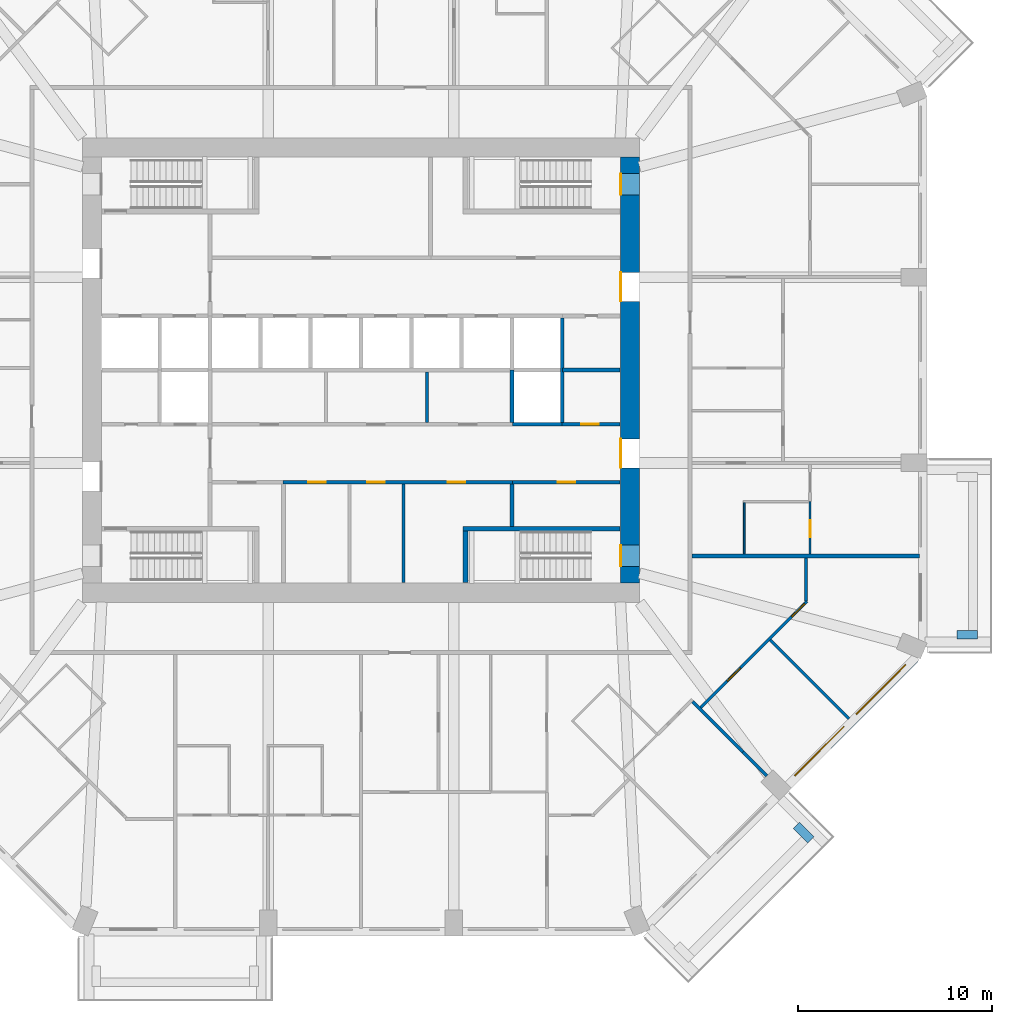
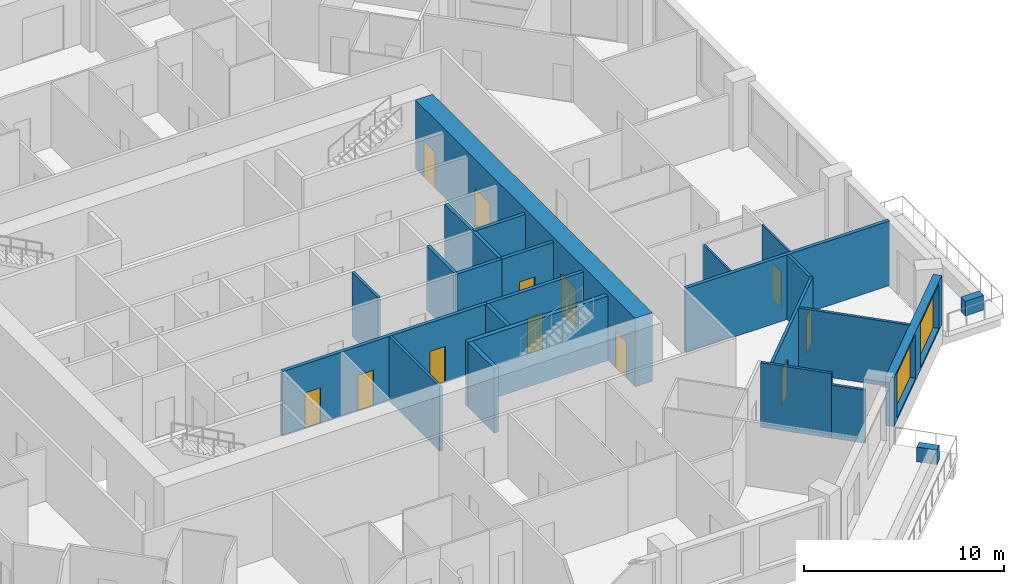
# One storey, part 6 of 13: 24 walls, 12 doors, 2 windows, 14 openings.
"""IFC4 building model written with IfcOpenShell, lengths in metres."""

from ifc_helpers import new_model, si_unit, direction, frame, frame_2d, origin, place, context, subcontext, project, spatial, rectangle, extrude, material, layer, layer_set, type_object, element, fill, save


model = new_model("IFC4")

# Units and contexts
model_context = context("Model", 3, precision=1e-05, world=origin(), true_north=direction((0.0, 1.0)))
body_context = subcontext(model_context, "Body", "Model", "MODEL_VIEW")
ifc_project = project(units=[si_unit("LENGTHUNIT", "METRE"), si_unit("AREAUNIT", "SQUARE_METRE"), si_unit("VOLUMEUNIT", "CUBIC_METRE"), si_unit("PLANEANGLEUNIT", "RADIAN"), si_unit("MASSUNIT", "GRAM", prefix="KILO")], contexts=[model_context])

# Site, building, storey
site_placement = place(None, origin())
site = spatial("IfcSite", under=ifc_project, at=site_placement, CompositionType="ELEMENT")
building_placement = place(site_placement, origin())
building = spatial("IfcBuilding", under=site, at=building_placement, Name="Msitu Wima Residences", CompositionType="ELEMENT")
storey_placement = place(building_placement, frame((0.0, 0.0, 50.699951171875)))
storey = spatial("IfcBuildingStorey", under=building, at=storey_placement, Name="L11", CompositionType="ELEMENT", Elevation=50.699951171875)

# Walls
ifc_material_1 = material(Name="Facing brick")
ifc_layer_1 = layer(ifc_material_1, 0.06494140625, Name="Facing brick")
ifc_material_2 = material(Name="Concrete C40/50", Category="concrete")
ifc_layer_2 = layer(ifc_material_2, 0.156005859375, Name="Concrete C40/50")
ifc_material_3 = material(Name="Waterproofing membrane")
ifc_layer_3 = layer(ifc_material_3, 0.00390625, Name="Waterproofing membrane")
ifc_material_4 = material(Name="Planting soil and planting")
ifc_layer_4 = layer(ifc_material_4, 0.22509765625, Name="Planting soil and planting")
ifc_layer_set_1 = layer_set([ifc_layer_1, ifc_layer_2, ifc_layer_3, ifc_layer_4], Name="Concrete C40/50")
wall_type_1 = type_object("IfcWallType", Name="Balcony planter PLANTER PL450", PredefinedType="USERDEFINED", material=ifc_layer_set_1)
for number, where, z_axis, x_axis, name in (
    (1, (30.800048828125, -13.675048828125, 0.0), (0.0, 0.0, 1.0), (1.0, 0.0, 0.0), "Balcony planter E0 L11"),
    (2, (22.50146484375, -23.52685546875, 0.0), (0.0, 0.0, 1.0), (0.707223014731, -0.706990528533, 0.0), "Balcony planter SE0 L11"),
):
    element("IfcWall", number, at=place(storey_placement, frame(where, z_axis=z_axis, x_axis=x_axis)), inside=storey, type_object=wall_type_1, Name=name, ObjectType="PLANTER", PredefinedType="USERDEFINED", context=body_context, shape_type="SweptSolid", body=[
        extrude(rectangle(XDim=1.050048828125, YDim=0.449951171875, at=frame_2d((0.52490234375, 0.0))), origin(), (0.0, 0.0, 1.0), 0.900146484375),
    ])

# Wall, openings, windows
ifc_material_5 = material(Name="Brick (red buff mix)", Category="masonry")
ifc_layer_5 = layer(ifc_material_5, 0.449951171875)
ifc_layer_set_2 = layer_set([ifc_layer_5], Name="Brick (red buff mix)")
wall_type_2 = type_object("IfcWallType", Name="Brick infill wall BW450", PredefinedType="SOLIDWALL", material=ifc_layer_set_2)
wall_1_placement = place(storey_placement, frame((22.077392578125, -21.44091796875, 0.900146484375), z_axis=(0.0, 0.0, 1.0), x_axis=(0.707106781187, 0.707106781187, 0.0)))
wall_1 = element("IfcWall", 3, at=wall_1_placement, inside=storey, type_object=wall_type_2, Name="Brick infill wall L11 SE1", PredefinedType="SOLIDWALL", context=body_context, shape_type="SweptSolid", body=[
    extrude(rectangle(XDim=9.2451171875, YDim=0.449951171875, at=frame_2d((4.62255859375, 0.0))), origin(), (0.0, 0.0, 1.0), 3.0),
])
opening_1_placement = place(wall_1_placement, frame((0.572509765625, 0.0, 0.14990234375)))
opening_1 = element("IfcOpeningElement", 4, at=opening_1_placement, cuts=wall_1, Name="Opening W11-12.023", PredefinedType="OPENING", context=body_context, shape_type="SweptSolid", body=[
    extrude(rectangle(XDim=3.60009765625, YDim=2.699951171875, at=frame_2d((1.800048828125, 1.35009765625))), frame((0.0, 0.23486328125, 0.0), z_axis=(0.0, -1.0, 0.0), x_axis=(1.0, 0.0, 0.0)), (0.0, 0.0, 1.0), 0.469970703125),
])
opening_2_placement = place(wall_1_placement, frame((5.072509765625, 0.0, 0.14990234375)))
opening_2 = element("IfcOpeningElement", 5, at=opening_2_placement, cuts=wall_1, Name="Opening W11-12.024", PredefinedType="OPENING", context=body_context, shape_type="SweptSolid", body=[
    extrude(rectangle(XDim=3.60009765625, YDim=2.699951171875, at=frame_2d((1.800048828125, 1.35009765625))), frame((0.0, 0.23486328125, 0.0), z_axis=(0.0, -1.0, 0.0), x_axis=(1.0, 0.0, 0.0)), (0.0, 0.0, 1.0), 0.469970703125),
])
ifc_material_6 = material(Name="Anodised aluminium, bronze finish, clear low-emissivity double glazing", Category="aluminium")
window_type = type_object("IfcWindowType", Name="Window W3600x2700", PartitioningType="DOUBLE_PANEL_VERTICAL", PredefinedType="WINDOW", material=ifc_material_6)
window_1_placement = place(opening_1_placement, origin())
window_1 = element("IfcWindow", 6, at=window_1_placement, inside=storey, type_object=window_type, Name="Window L11 SE1.1", OverallHeight=2.699951171875, OverallWidth=3.60009765625, PartitioningType="SINGLE_PANEL", PredefinedType="WINDOW", context=body_context, shape_type="SweptSolid", body=[
    extrude(rectangle(XDim=3.60009765625, YDim=2.699951171875, at=frame_2d((1.800048828125, 1.35009765625))), frame((0.0, 0.135009765625, 0.0), z_axis=(0.0, -1.0, 0.0), x_axis=(1.0, 0.0, 0.0)), (0.0, 0.0, 1.0), 0.06005859375),
])
fill(opening_1, window_1)
window_2_placement = place(opening_2_placement, origin())
window_2 = element("IfcWindow", 7, at=window_2_placement, inside=storey, type_object=window_type, Name="Window L11 SE1.2", OverallHeight=2.699951171875, OverallWidth=3.60009765625, PartitioningType="SINGLE_PANEL", PredefinedType="WINDOW", context=body_context, shape_type="SweptSolid", body=[
    extrude(rectangle(XDim=3.60009765625, YDim=2.699951171875, at=frame_2d((1.800048828125, 1.35009765625))), frame((0.0, 0.135009765625, 0.0), z_axis=(0.0, -1.0, 0.0), x_axis=(1.0, 0.0, 0.0)), (0.0, 0.0, 1.0), 0.06005859375),
])
fill(opening_2, window_2)

# Wall, openings, doors
ifc_material_7 = material(Name="Concrete C80/95", Category="concrete")
ifc_layer_6 = layer(ifc_material_7, 1.0)
ifc_layer_set_3 = layer_set([ifc_layer_6], Name="Concrete C80/95")
wall_type_3 = type_object("IfcWallType", Name="Core wall CW1000 C80/95", PredefinedType="SHEAR", material=ifc_layer_set_3)
wall_2_placement = place(storey_placement, frame((13.89990234375, -11.0, 0.0), z_axis=(0.0, 0.0, 1.0), x_axis=(0.0, 1.0, 0.0)))
wall_2 = element("IfcWall", 8, at=wall_2_placement, inside=storey, type_object=wall_type_3, Name="Core wall", PredefinedType="SHEAR", context=body_context, shape_type="SweptSolid", body=[
    extrude(rectangle(XDim=22.0, YDim=1.0, at=frame_2d((11.0, 0.0))), origin(), (0.0, 0.0, 1.0), 4.199951171875),
])
opening_3_placement = place(wall_2_placement, frame((20.050048828125, 0.0, 0.0)))
opening_3 = element("IfcOpeningElement", 9, at=opening_3_placement, cuts=wall_2, Name="Opening D11-12.035", PredefinedType="OPENING", context=body_context, shape_type="SweptSolid", body=[
    extrude(rectangle(XDim=1.10009765625, YDim=2.199951171875, at=frame_2d((0.550048828125, 1.10009765625))), frame((0.0, 0.510009765625, 0.0), z_axis=(0.0, -1.0, 0.0), x_axis=(1.0, 0.0, 0.0)), (0.0, 0.0, 1.0), 1.02001953125),
])
opening_4_placement = place(wall_2_placement, frame((0.85009765625, 0.0, 0.0)))
opening_4 = element("IfcOpeningElement", 10, at=opening_4_placement, cuts=wall_2, Name="Opening D11-12.036", PredefinedType="OPENING", context=body_context, shape_type="SweptSolid", body=[
    extrude(rectangle(XDim=1.10009765625, YDim=2.199951171875, at=frame_2d((0.550048828125, 1.10009765625))), frame((0.0, 0.510009765625, 0.0), z_axis=(0.0, -1.0, 0.0), x_axis=(1.0, 0.0, 0.0)), (0.0, 0.0, 1.0), 1.02001953125),
])
opening_5_placement = place(wall_2_placement, frame((14.550048828125, 0.0, 0.0)))
opening_5 = element("IfcOpeningElement", 11, at=opening_5_placement, cuts=wall_2, Name="Opening D11-12.024", PredefinedType="OPENING", context=body_context, shape_type="SweptSolid", body=[
    extrude(rectangle(XDim=1.5, YDim=2.39990234375, at=frame_2d((0.75, 1.199951171875))), frame((0.0, 0.510009765625, 0.0), z_axis=(0.0, -1.0, 0.0), x_axis=(1.0, 0.0, 0.0)), (0.0, 0.0, 1.0), 1.02001953125),
])
opening_6_placement = place(wall_2_placement, frame((5.949951171875, 0.0, 0.0)))
opening_6 = element("IfcOpeningElement", 12, at=opening_6_placement, cuts=wall_2, Name="Opening D11-12.025", PredefinedType="OPENING", context=body_context, shape_type="SweptSolid", body=[
    extrude(rectangle(XDim=1.5, YDim=2.39990234375, at=frame_2d((0.75, 1.199951171875))), frame((0.0, 0.510009765625, 0.0), z_axis=(0.0, -1.0, 0.0), x_axis=(1.0, 0.0, 0.0)), (0.0, 0.0, 1.0), 1.02001953125),
])
ifc_material_8 = material(Name="Steel framed glazed door, fire resisting", Category="steel")
door_type_1 = type_object("IfcDoorType", Name="Lobby door D07 1500x2400", OperationType="DOUBLE_DOOR_SINGLE_SWING", PredefinedType="DOOR", material=ifc_material_8)
door_1_placement = place(opening_5_placement, origin())
door_1 = element("IfcDoor", 13, at=door_1_placement, inside=storey, type_object=door_type_1, Name="Lobby door", OperationType="DOUBLE_DOOR_SINGLE_SWING", OverallHeight=2.39990234375, OverallWidth=1.5, PredefinedType="DOOR", context=body_context, shape_type="SweptSolid", body=[
    extrude(rectangle(XDim=1.5, YDim=2.39990234375, at=frame_2d((0.75, 1.199951171875))), frame((0.0, 0.4951171875, 0.0), z_axis=(0.0, -1.0, 0.0), x_axis=(1.0, 0.0, 0.0)), (0.0, 0.0, 1.0), 0.050048828125),
])
fill(opening_5, door_1)
door_2_placement = place(opening_6_placement, origin())
door_2 = element("IfcDoor", 14, at=door_2_placement, inside=storey, type_object=door_type_1, Name="Lobby door", OperationType="DOUBLE_DOOR_SINGLE_SWING", OverallHeight=2.39990234375, OverallWidth=1.5, PredefinedType="DOOR", context=body_context, shape_type="SweptSolid", body=[
    extrude(rectangle(XDim=1.5, YDim=2.39990234375, at=frame_2d((0.75, 1.199951171875))), frame((0.0, 0.4951171875, 0.0), z_axis=(0.0, -1.0, 0.0), x_axis=(1.0, 0.0, 0.0)), (0.0, 0.0, 1.0), 0.050048828125),
])
fill(opening_6, door_2)
ifc_material_9 = material(Name="Steel door, fire resisting, panic bar", Category="steel")
door_type_2 = type_object("IfcDoorType", Name="Stair door D06 1100x2200", OperationType="SINGLE_SWING_LEFT", PredefinedType="DOOR", material=ifc_material_9)
door_3_placement = place(opening_3_placement, origin())
door_3 = element("IfcDoor", 15, at=door_3_placement, inside=storey, type_object=door_type_2, Name="Stair door", OperationType="SINGLE_SWING_LEFT", OverallHeight=2.199951171875, OverallWidth=1.10009765625, PredefinedType="DOOR", context=body_context, shape_type="SweptSolid", body=[
    extrude(rectangle(XDim=1.10009765625, YDim=2.199951171875, at=frame_2d((0.550048828125, 1.10009765625))), frame((0.0, 0.4951171875, 0.0), z_axis=(0.0, -1.0, 0.0), x_axis=(1.0, 0.0, 0.0)), (0.0, 0.0, 1.0), 0.050048828125),
])
fill(opening_3, door_3)
door_4_placement = place(opening_4_placement, origin())
door_4 = element("IfcDoor", 16, at=door_4_placement, inside=storey, type_object=door_type_2, Name="Stair door", OperationType="SINGLE_SWING_RIGHT", OverallHeight=2.199951171875, OverallWidth=1.10009765625, PredefinedType="DOOR", context=body_context, shape_type="SweptSolid", body=[
    extrude(rectangle(XDim=1.10009765625, YDim=2.199951171875, at=frame_2d((0.550048828125, 1.10009765625))), frame((0.0, 0.4951171875, 0.0), z_axis=(0.0, -1.0, 0.0), x_axis=(1.0, 0.0, 0.0)), (0.0, 0.0, 1.0), 0.050048828125),
])
fill(opening_4, door_4)

ifc_material_10 = material(Name="Plaster")
ifc_layer_7 = layer(ifc_material_10, 0.011962890625, Name="Plaster")
ifc_material_11 = material(Name="Concrete blockwork", Category="masonry")
ifc_layer_8 = layer(ifc_material_11, 0.176025390625, Name="Concrete blockwork")
ifc_layer_9 = layer(ifc_material_10, 0.011962890625, Name="Plaster")
ifc_layer_set_4 = layer_set([ifc_layer_7, ifc_layer_8, ifc_layer_9], Name="Concrete blockwork")
wall_type_4 = type_object("IfcWallType", Name="Corridor wall FW200", PredefinedType="PARTITIONING", material=ifc_layer_set_4)
wall_3_placement = place(storey_placement, frame((-4.02001953125, -5.800048828125, 0.0), z_axis=(0.0, 0.0, 1.0), x_axis=(1.0, 0.0, 0.0)))
wall_3 = element("IfcWall", 17, at=wall_3_placement, inside=storey, type_object=wall_type_4, Name="Corridor wall", PredefinedType="PARTITIONING", context=body_context, shape_type="SweptSolid", body=[
    extrude(rectangle(XDim=11.840087890625, YDim=0.199951171875, at=frame_2d((5.919921875, 0.0))), origin(), (0.0, 0.0, 1.0), 3.949951171875),
])
opening_7_placement = place(wall_3_placement, frame((1.300048828125, 0.0, 0.0)))
opening_7 = element("IfcOpeningElement", 18, at=opening_7_placement, cuts=wall_3, Name="Opening D11-12.020", PredefinedType="OPENING", context=body_context, shape_type="SweptSolid", body=[
    extrude(rectangle(XDim=0.89990234375, YDim=2.199951171875, at=frame_2d((0.449951171875, 1.10009765625))), frame((0.0, 0.10986328125, 0.0), z_axis=(0.0, -1.0, 0.0), x_axis=(1.0, 0.0, 0.0)), (0.0, 0.0, 1.0), 0.219970703125),
])
opening_8_placement = place(wall_3_placement, frame((4.35009765625, 0.0, 0.0)))
opening_8 = element("IfcOpeningElement", 19, at=opening_8_placement, cuts=wall_3, Name="Opening D11-12.021", PredefinedType="OPENING", context=body_context, shape_type="SweptSolid", body=[
    extrude(rectangle(XDim=0.89990234375, YDim=2.199951171875, at=frame_2d((0.449951171875, 1.10009765625))), frame((0.0, 0.10986328125, 0.0), z_axis=(0.0, -1.0, 0.0), x_axis=(1.0, 0.0, 0.0)), (0.0, 0.0, 1.0), 0.219970703125),
])
opening_9_placement = place(wall_3_placement, frame((8.5, 0.0, 0.0)))
opening_9 = element("IfcOpeningElement", 20, at=opening_9_placement, cuts=wall_3, Name="Opening D11-12.022", PredefinedType="OPENING", context=body_context, shape_type="SweptSolid", body=[
    extrude(rectangle(XDim=0.89990234375, YDim=2.199951171875, at=frame_2d((0.449951171875, 1.10009765625))), frame((0.0, 0.10986328125, 0.0), z_axis=(0.0, -1.0, 0.0), x_axis=(1.0, 0.0, 0.0)), (0.0, 0.0, 1.0), 0.219970703125),
])
ifc_material_12 = material(Name="Timber flush door", Category="wood")
door_type_3 = type_object("IfcDoorType", Name="Service door D05 900x2200", OperationType="SINGLE_SWING_LEFT", PredefinedType="DOOR", material=ifc_material_12)
door_5_placement = place(opening_7_placement, origin())
door_5 = element("IfcDoor", 21, at=door_5_placement, inside=storey, type_object=door_type_3, Name="Service door", OperationType="SINGLE_SWING_LEFT", OverallHeight=2.199951171875, OverallWidth=0.89990234375, PredefinedType="DOOR", context=body_context, shape_type="SweptSolid", body=[
    extrude(rectangle(XDim=0.89990234375, YDim=2.199951171875, at=frame_2d((0.449951171875, 1.10009765625))), frame((0.0, 0.02490234375, 0.0), z_axis=(0.0, -1.0, 0.0), x_axis=(1.0, 0.0, 0.0)), (0.0, 0.0, 1.0), 0.050048828125),
])
fill(opening_7, door_5)
door_6_placement = place(opening_8_placement, origin())
door_6 = element("IfcDoor", 22, at=door_6_placement, inside=storey, type_object=door_type_3, Name="Service door", OperationType="SINGLE_SWING_RIGHT", OverallHeight=2.199951171875, OverallWidth=0.89990234375, PredefinedType="DOOR", context=body_context, shape_type="SweptSolid", body=[
    extrude(rectangle(XDim=0.89990234375, YDim=2.199951171875, at=frame_2d((0.449951171875, 1.10009765625))), frame((0.0, 0.02490234375, 0.0), z_axis=(0.0, -1.0, 0.0), x_axis=(1.0, 0.0, 0.0)), (0.0, 0.0, 1.0), 0.050048828125),
])
fill(opening_8, door_6)
door_7_placement = place(opening_9_placement, origin())
door_7 = element("IfcDoor", 23, at=door_7_placement, inside=storey, type_object=door_type_3, Name="Service door", OperationType="SINGLE_SWING_RIGHT", OverallHeight=2.199951171875, OverallWidth=0.89990234375, PredefinedType="DOOR", context=body_context, shape_type="SweptSolid", body=[
    extrude(rectangle(XDim=0.89990234375, YDim=2.199951171875, at=frame_2d((0.449951171875, 1.10009765625))), frame((0.0, 0.02490234375, 0.0), z_axis=(0.0, -1.0, 0.0), x_axis=(1.0, 0.0, 0.0)), (0.0, 0.0, 1.0), 0.050048828125),
])
fill(opening_9, door_7)

# Walls
ifc_layer_10 = layer(ifc_material_10, 0.011962890625, Name="Plaster")
ifc_layer_11 = layer(ifc_material_11, 0.1259765625, Name="Concrete blockwork")
ifc_layer_12 = layer(ifc_material_10, 0.011962890625, Name="Plaster")
ifc_layer_set_5 = layer_set([ifc_layer_10, ifc_layer_11, ifc_layer_12], Name="Concrete blockwork")
wall_type_5 = type_object("IfcWallType", Name="Partition PW150", PredefinedType="PARTITIONING", material=ifc_layer_set_5)
wall_4_placement = place(storey_placement, frame((2.199951171875, -10.969970703125, 0.0), z_axis=(0.0, 0.0, 1.0), x_axis=(0.0, 1.0, 0.0)))
element("IfcWall", 24, at=wall_4_placement, inside=storey, type_object=wall_type_5, Name="Partition", PredefinedType="PARTITIONING", context=body_context, shape_type="SweptSolid", body=[
    extrude(rectangle(XDim=5.070068359375, YDim=0.14990234375, at=frame_2d((2.53515625, 0.0))), origin(), (0.0, 0.0, 1.0), 3.949951171875),
])
wall_5_placement = place(storey_placement, frame((3.39990234375, -2.699951171875, 0.0), z_axis=(0.0, 0.0, 1.0), x_axis=(0.0, 1.0, 0.0)))
element("IfcWall", 25, at=wall_5_placement, inside=storey, type_object=wall_type_5, Name="Partition", PredefinedType="PARTITIONING", context=body_context, shape_type="SweptSolid", body=[
    extrude(rectangle(XDim=2.599853515625, YDim=0.14990234375, at=frame_2d((1.2998046875, 0.0))), origin(), (0.0, 0.0, 1.0), 3.949951171875),
])
wall_6_placement = place(storey_placement, frame((17.12744140625, -17.12744140625, 0.0), z_axis=(0.0, 0.0, 1.0), x_axis=(0.707106781187, -0.707106781187, 0.0)))
element("IfcWall", 26, at=wall_6_placement, inside=storey, type_object=wall_type_5, Name="Partition", PredefinedType="PARTITIONING", context=body_context, shape_type="SweptSolid", body=[
    extrude(rectangle(XDim=3.6767578125, YDim=0.14990234375, at=frame_2d((1.83837890625, 0.0))), origin(), (0.0, 0.0, 1.0), 3.949951171875),
])
wall_7_placement = place(storey_placement, frame((19.727294921875, -19.727294921875, 0.0), z_axis=(0.0, 0.0, 1.0), x_axis=(0.707106781187, -0.707106781187, 0.0)))
element("IfcWall", 27, at=wall_7_placement, inside=storey, type_object=wall_type_5, Name="Partition", PredefinedType="PARTITIONING", context=body_context, shape_type="SweptSolid", body=[
    extrude(rectangle(XDim=1.74853515625, YDim=0.14990234375, at=frame_2d((0.874267578125, 0.0))), origin(), (0.0, 0.0, 1.0), 3.25),
])

# Wall, openings, doors
wall_8_placement = place(storey_placement, frame((17.5517578125, -17.44580078125, 0.0), z_axis=(0.0, 0.0, 1.0), x_axis=(0.707106781187, 0.707106781187, 0.0)))
wall_8 = element("IfcWall", 28, at=wall_8_placement, inside=storey, type_object=wall_type_5, Name="Partition", PredefinedType="PARTITIONING", context=body_context, shape_type="SweptSolid", body=[
    extrude(rectangle(XDim=7.77978515625, YDim=0.14990234375, at=frame_2d((3.889892578125, 0.0))), origin(), (0.0, 0.0, 1.0), 3.949951171875),
])
opening_10_placement = place(wall_8_placement, frame((1.949951171875, 0.0, 0.0)))
opening_10 = element("IfcOpeningElement", 29, at=opening_10_placement, cuts=wall_8, Name="Opening D11-12.082", PredefinedType="OPENING", context=body_context, shape_type="SweptSolid", body=[
    extrude(rectangle(XDim=0.949951171875, YDim=2.199951171875, at=frame_2d((0.47509765625, 1.10009765625))), frame((0.0, 0.0849609375, 0.0), z_axis=(0.0, -1.0, 0.0), x_axis=(1.0, 0.0, 0.0)), (0.0, 0.0, 1.0), 0.169921875),
])
opening_11_placement = place(wall_8_placement, frame((6.64990234375, 0.0, 0.0)))
opening_11 = element("IfcOpeningElement", 30, at=opening_11_placement, cuts=wall_8, Name="Opening D11-12.086", PredefinedType="OPENING", context=body_context, shape_type="SweptSolid", body=[
    extrude(rectangle(XDim=0.949951171875, YDim=2.199951171875, at=frame_2d((0.47509765625, 1.10009765625))), frame((0.0, 0.0849609375, 0.0), z_axis=(0.0, -1.0, 0.0), x_axis=(1.0, 0.0, 0.0)), (0.0, 0.0, 1.0), 0.169921875),
])
door_type_4 = type_object("IfcDoorType", Name="Room door D12 950x2200", OperationType="SINGLE_SWING_LEFT", PredefinedType="DOOR", material=ifc_material_12)
door_8_placement = place(opening_10_placement, origin())
door_8 = element("IfcDoor", 31, at=door_8_placement, inside=storey, type_object=door_type_4, Name="Room door", OperationType="SINGLE_SWING_RIGHT", OverallHeight=2.199951171875, OverallWidth=0.949951171875, PredefinedType="DOOR", context=body_context, shape_type="SweptSolid", body=[
    extrude(rectangle(XDim=0.949951171875, YDim=2.199951171875, at=frame_2d((0.47509765625, 1.10009765625))), frame((0.0, 0.02490234375, 0.0), z_axis=(0.0, -1.0, 0.0), x_axis=(1.0, 0.0, 0.0)), (0.0, 0.0, 1.0), 0.050048828125),
])
fill(opening_10, door_8)
door_9_placement = place(opening_11_placement, origin())
door_9 = element("IfcDoor", 32, at=door_9_placement, inside=storey, type_object=door_type_4, Name="Room door", OperationType="SINGLE_SWING_RIGHT", OverallHeight=2.199951171875, OverallWidth=0.949951171875, PredefinedType="DOOR", context=body_context, shape_type="SweptSolid", body=[
    extrude(rectangle(XDim=0.949951171875, YDim=2.199951171875, at=frame_2d((0.47509765625, 1.10009765625))), frame((0.0, 0.02490234375, 0.0), z_axis=(0.0, -1.0, 0.0), x_axis=(1.0, 0.0, 0.0)), (0.0, 0.0, 1.0), 0.050048828125),
])
fill(opening_11, door_9)

# Walls
wall_9_placement = place(storey_placement, frame((21.15185546875, -13.951904296875, 0.0), z_axis=(0.0, 0.0, 1.0), x_axis=(0.707128010843, -0.707085550893, 0.0)))
element("IfcWall", 33, at=wall_9_placement, inside=storey, type_object=wall_type_5, Name="Partition", PredefinedType="PARTITIONING", context=body_context, shape_type="SweptSolid", body=[
    extrude(rectangle(XDim=5.75, YDim=0.14990234375, at=frame_2d((2.875, 0.0))), origin(), (0.0, 0.0, 1.0), 3.949951171875),
])
wall_10_placement = place(storey_placement, frame((23.0, -11.922607421875, 0.0), z_axis=(0.0, 0.0, 1.0), x_axis=(0.0, 1.0, 0.0)))
element("IfcWall", 34, at=wall_10_placement, inside=storey, type_object=wall_type_5, Name="Partition", PredefinedType="PARTITIONING", context=body_context, shape_type="SweptSolid", body=[
    extrude(rectangle(XDim=2.22265625, YDim=0.14990234375, at=frame_2d((1.111328125, 0.0))), origin(), (0.0, 0.0, 1.0), 3.949951171875),
])
ifc_layer_13 = layer(ifc_material_10, 0.011962890625, Name="Plaster")
ifc_material_13 = material(Name="Dense concrete blockwork", Category="masonry")
ifc_layer_14 = layer(ifc_material_13, 0.176025390625, Name="Dense concrete blockwork")
ifc_layer_15 = layer(ifc_material_10, 0.011962890625, Name="Plaster")
ifc_layer_set_6 = layer_set([ifc_layer_13, ifc_layer_14, ifc_layer_15], Name="Dense concrete blockwork")
wall_type_6 = type_object("IfcWallType", Name="Party wall PW200", PredefinedType="PARTITIONING", material=ifc_layer_set_6)
wall_11_placement = place(storey_placement, frame((17.10009765625, -9.60009765625, 0.0), z_axis=(0.0, 0.0, 1.0), x_axis=(1.0, 0.0, 0.0)))
element("IfcWall", 35, at=wall_11_placement, inside=storey, type_object=wall_type_6, Name="Party wall", PredefinedType="PARTITIONING", context=body_context, shape_type="SweptSolid", body=[
    extrude(rectangle(XDim=11.7548828125, YDim=0.199951171875, at=frame_2d((5.87744140625, 0.0))), origin(), (0.0, 0.0, 1.0), 3.949951171875),
])

# Wall, opening, door
ifc_layer_16 = layer(ifc_material_10, 0.011962890625, Name="Plaster")
ifc_material_14 = material(Name="Reinforced concrete blockwork", Category="masonry")
ifc_layer_17 = layer(ifc_material_14, 0.176025390625, Name="Reinforced concrete blockwork")
ifc_layer_18 = layer(ifc_material_10, 0.011962890625, Name="Plaster")
ifc_layer_set_7 = layer_set([ifc_layer_16, ifc_layer_17, ifc_layer_18], Name="Reinforced concrete blockwork")
wall_type_7 = type_object("IfcWallType", Name="Plant and riser wall PL200", PredefinedType="PARTITIONING", material=ifc_layer_set_7)
wall_12_placement = place(storey_placement, frame((7.820068359375, -5.800048828125, 0.0), z_axis=(0.0, 0.0, 1.0), x_axis=(1.0, 0.0, 0.0)))
wall_12 = element("IfcWall", 36, at=wall_12_placement, inside=storey, type_object=wall_type_7, Name="Plant and riser wall", PredefinedType="PARTITIONING", context=body_context, shape_type="SweptSolid", body=[
    extrude(rectangle(XDim=5.550048828125, YDim=0.199951171875, at=frame_2d((2.77490234375, 0.0))), origin(), (0.0, 0.0, 1.0), 3.949951171875),
])
opening_12_placement = place(wall_12_placement, frame((2.35009765625, 0.0, 0.0)))
opening_12 = element("IfcOpeningElement", 37, at=opening_12_placement, cuts=wall_12, Name="Opening D11-12.023", PredefinedType="OPENING", context=body_context, shape_type="SweptSolid", body=[
    extrude(rectangle(XDim=0.89990234375, YDim=2.199951171875, at=frame_2d((0.449951171875, 1.10009765625))), frame((0.0, 0.10986328125, 0.0), z_axis=(0.0, -1.0, 0.0), x_axis=(1.0, 0.0, 0.0)), (0.0, 0.0, 1.0), 0.219970703125),
])
door_10_placement = place(opening_12_placement, origin())
door_10 = element("IfcDoor", 38, at=door_10_placement, inside=storey, type_object=door_type_3, Name="Service door", OperationType="SINGLE_SWING_RIGHT", OverallHeight=2.199951171875, OverallWidth=0.89990234375, PredefinedType="DOOR", context=body_context, shape_type="SweptSolid", body=[
    extrude(rectangle(XDim=0.89990234375, YDim=2.199951171875, at=frame_2d((0.449951171875, 1.10009765625))), frame((0.0, 0.02490234375, 0.0), z_axis=(0.0, -1.0, 0.0), x_axis=(1.0, 0.0, 0.0)), (0.0, 0.0, 1.0), 0.050048828125),
])
fill(opening_12, door_10)

# Wall
wall_13_placement = place(storey_placement, frame((7.800048828125, -8.074951171875, 0.0), z_axis=(0.0, 0.0, 1.0), x_axis=(0.0, 1.0, 0.0)))
element("IfcWall", 39, at=wall_13_placement, inside=storey, type_object=wall_type_7, Name="Plant and riser wall", PredefinedType="PARTITIONING", context=body_context, shape_type="SweptSolid", body=[
    extrude(rectangle(XDim=2.175048828125, YDim=0.199951171875, at=frame_2d((1.08740234375, 0.0))), origin(), (0.0, 0.0, 1.0), 3.949951171875),
])

# Wall, opening, door
wall_14_placement = place(storey_placement, frame((10.3798828125, -2.800048828125, 0.0), z_axis=(0.0, 0.0, 1.0), x_axis=(1.0, 0.0, 0.0)))
wall_14 = element("IfcWall", 40, at=wall_14_placement, inside=storey, type_object=wall_type_7, Name="Plant and riser wall", PredefinedType="PARTITIONING", context=body_context, shape_type="SweptSolid", body=[
    extrude(rectangle(XDim=2.990234375, YDim=0.199951171875, at=frame_2d((1.4951171875, 0.0))), origin(), (0.0, 0.0, 1.0), 3.949951171875),
])
opening_13_placement = place(wall_14_placement, frame((1.0, 0.0, 0.0)))
opening_13 = element("IfcOpeningElement", 41, at=opening_13_placement, cuts=wall_14, Name="Opening D11-12.012", PredefinedType="OPENING", context=body_context, shape_type="SweptSolid", body=[
    extrude(rectangle(XDim=0.89990234375, YDim=2.199951171875, at=frame_2d((0.449951171875, 1.10009765625))), frame((0.0, 0.10986328125, 0.0), z_axis=(0.0, -1.0, 0.0), x_axis=(1.0, 0.0, 0.0)), (0.0, 0.0, 1.0), 0.219970703125),
])
door_11_placement = place(opening_13_placement, origin())
door_11 = element("IfcDoor", 42, at=door_11_placement, inside=storey, type_object=door_type_3, Name="Service door", OperationType="SINGLE_SWING_LEFT", OverallHeight=2.199951171875, OverallWidth=0.89990234375, PredefinedType="DOOR", context=body_context, shape_type="SweptSolid", body=[
    extrude(rectangle(XDim=0.89990234375, YDim=2.199951171875, at=frame_2d((0.449951171875, 1.10009765625))), frame((0.0, 0.02490234375, 0.0), z_axis=(0.0, -1.0, 0.0), x_axis=(1.0, 0.0, 0.0)), (0.0, 0.0, 1.0), 0.050048828125),
])
fill(opening_13, door_11)

# Walls
wall_15_placement = place(storey_placement, frame((10.39990234375, 0.0, 0.0), z_axis=(0.0, 0.0, 1.0), x_axis=(1.0, 0.0, 0.0)))
element("IfcWall", 43, at=wall_15_placement, inside=storey, type_object=wall_type_7, Name="Plant and riser wall", PredefinedType="PARTITIONING", context=body_context, shape_type="SweptSolid", body=[
    extrude(rectangle(XDim=2.97021484375, YDim=0.199951171875, at=frame_2d((1.485107421875, 0.0))), origin(), (0.0, 0.0, 1.0), 3.949951171875),
])
ifc_material_15 = material(Name="Fire-rated board")
ifc_layer_19 = layer(ifc_material_15, 0.02490234375, Name="Fire-rated board")
ifc_material_16 = material(Name="Light-gauge stud framing with mineral wool")
ifc_layer_20 = layer(ifc_material_16, 0.14990234375, Name="Light-gauge stud framing with mineral wool")
ifc_layer_21 = layer(ifc_material_15, 0.02490234375, Name="Fire-rated board")
ifc_layer_set_8 = layer_set([ifc_layer_19, ifc_layer_20, ifc_layer_21], Name="Light-gauge stud framing with mineral wool")
wall_type_8 = type_object("IfcWallType", Name="Shaft wall SH200", PredefinedType="PARTITIONING", material=ifc_layer_set_8)
wall_16_placement = place(storey_placement, frame((7.800048828125, -2.699951171875, 0.0), z_axis=(0.0, 0.0, 1.0), x_axis=(0.0, 1.0, 0.0)))
element("IfcWall", 44, at=wall_16_placement, inside=storey, type_object=wall_type_8, Name="Shaft wall", PredefinedType="PARTITIONING", context=body_context, shape_type="SweptSolid", body=[
    extrude(rectangle(XDim=2.699951171875, YDim=0.199951171875, at=frame_2d((1.35009765625, 0.0))), origin(), (0.0, 0.0, 1.0), 3.949951171875),
])
wall_17_placement = place(storey_placement, frame((7.820068359375, -2.800048828125, 0.0), z_axis=(0.0, 0.0, 1.0), x_axis=(1.0, 0.0, 0.0)))
element("IfcWall", 45, at=wall_17_placement, inside=storey, type_object=wall_type_8, Name="Shaft wall", PredefinedType="PARTITIONING", context=body_context, shape_type="SweptSolid", body=[
    extrude(rectangle(XDim=2.559814453125, YDim=0.199951171875, at=frame_2d((1.27978515625, 0.0))), origin(), (0.0, 0.0, 1.0), 3.949951171875),
])
wall_18_placement = place(storey_placement, frame((10.39990234375, -2.699951171875, 0.0), z_axis=(0.0, 0.0, 1.0), x_axis=(0.0, 1.0, 0.0)))
element("IfcWall", 46, at=wall_18_placement, inside=storey, type_object=wall_type_8, Name="Shaft wall", PredefinedType="PARTITIONING", context=body_context, shape_type="SweptSolid", body=[
    extrude(rectangle(XDim=5.39990234375, YDim=0.199951171875, at=frame_2d((2.699951171875, 0.0))), origin(), (0.0, 0.0, 1.0), 3.949951171875),
])
ifc_material_17 = material(Name="Concrete C50/60", Category="concrete")
ifc_layer_22 = layer(ifc_material_17, 0.25)
ifc_layer_set_9 = layer_set([ifc_layer_22], Name="Concrete C50/60")
wall_type_9 = type_object("IfcWallType", Name="Stair enclosure wall SW250", PredefinedType="SHEAR", material=ifc_layer_set_9)
wall_19_placement = place(storey_placement, frame((5.39990234375, -10.969970703125, 0.0), z_axis=(0.0, 0.0, 1.0), x_axis=(0.0, 1.0, 0.0)))
element("IfcWall", 47, at=wall_19_placement, inside=storey, type_object=wall_type_9, Name="Stair enclosure wall", PredefinedType="SHEAR", context=body_context, shape_type="SweptSolid", body=[
    extrude(rectangle(XDim=2.64501953125, YDim=0.25, at=frame_2d((1.322509765625, 0.0))), origin(), (0.0, 0.0, 1.0), 3.949951171875),
])
wall_20_placement = place(storey_placement, frame((5.27490234375, -8.199951171875, 0.0), z_axis=(0.0, 0.0, 1.0), x_axis=(1.0, 0.0, 0.0)))
element("IfcWall", 48, at=wall_20_placement, inside=storey, type_object=wall_type_9, Name="Stair enclosure wall", PredefinedType="SHEAR", context=body_context, shape_type="SweptSolid", body=[
    extrude(rectangle(XDim=8.09521484375, YDim=0.25, at=frame_2d((4.047607421875, 0.0))), origin(), (0.0, 0.0, 1.0), 3.949951171875),
])
ifc_material_18 = material(Name="Ceramic tiles")
ifc_layer_23 = layer(ifc_material_18, 0.008056640625, Name="Ceramic tiles")
ifc_material_19 = material(Name="Moisture-resistant board")
ifc_layer_24 = layer(ifc_material_19, 0.012451171875, Name="Moisture-resistant board")
ifc_layer_25 = layer(ifc_material_16, 0.06689453125, Name="Light-gauge stud framing with mineral wool")
ifc_layer_26 = layer(ifc_material_19, 0.012451171875, Name="Moisture-resistant board")
ifc_layer_set_10 = layer_set([ifc_layer_23, ifc_layer_24, ifc_layer_25, ifc_layer_26], Name="Light-gauge stud framing with mineral wool")
wall_type_10 = type_object("IfcWallType", Name="Wet wall PW100", PredefinedType="PARTITIONING", material=ifc_layer_set_10)
wall_21_placement = place(storey_placement, frame((19.800048828125, -9.5, 0.0), z_axis=(0.0, 0.0, 1.0), x_axis=(0.0, 1.0, 0.0)))
element("IfcWall", 49, at=wall_21_placement, inside=storey, type_object=wall_type_10, Name="Wet wall", PredefinedType="PARTITIONING", context=body_context, shape_type="SweptSolid", body=[
    extrude(rectangle(XDim=2.64990234375, YDim=0.10009765625, at=frame_2d((1.324951171875, 0.0))), origin(), (0.0, 0.0, 1.0), 3.949951171875),
])

# Wall, opening, door
wall_22_placement = place(storey_placement, frame((23.199951171875, -9.5, 0.0), z_axis=(0.0, 0.0, 1.0), x_axis=(0.0, 1.0, 0.0)))
wall_22 = element("IfcWall", 50, at=wall_22_placement, inside=storey, type_object=wall_type_10, Name="Wet wall", PredefinedType="PARTITIONING", context=body_context, shape_type="SweptSolid", body=[
    extrude(rectangle(XDim=2.719970703125, YDim=0.10009765625, at=frame_2d((1.35986328125, 0.0))), origin(), (0.0, 0.0, 1.0), 3.949951171875),
])
opening_14_placement = place(wall_22_placement, frame((0.85009765625, 0.0, 0.0)))
opening_14 = element("IfcOpeningElement", 51, at=opening_14_placement, cuts=wall_22, Name="Opening D11-12.041", PredefinedType="OPENING", context=body_context, shape_type="SweptSolid", body=[
    extrude(rectangle(XDim=0.89990234375, YDim=2.199951171875, at=frame_2d((0.449951171875, 1.10009765625))), frame((0.0, 0.06005859375, 0.0), z_axis=(0.0, -1.0, 0.0), x_axis=(1.0, 0.0, 0.0)), (0.0, 0.0, 1.0), 0.1201171875),
])
ifc_material_20 = material(Name="Timber flush door, moisture resistant", Category="wood")
door_type_5 = type_object("IfcDoorType", Name="Bathroom door D03 900x2200", OperationType="SINGLE_SWING_LEFT", PredefinedType="DOOR", material=ifc_material_20)
door_12_placement = place(opening_14_placement, origin())
door_12 = element("IfcDoor", 52, at=door_12_placement, inside=storey, type_object=door_type_5, Name="Bathroom door", OperationType="SINGLE_SWING_LEFT", OverallHeight=2.199951171875, OverallWidth=0.89990234375, PredefinedType="DOOR", context=body_context, shape_type="SweptSolid", body=[
    extrude(rectangle(XDim=0.89990234375, YDim=2.199951171875, at=frame_2d((0.449951171875, 1.10009765625))), frame((0.0, 0.02490234375, 0.0), z_axis=(0.0, -1.0, 0.0), x_axis=(1.0, 0.0, 0.0)), (0.0, 0.0, 1.0), 0.050048828125),
])
fill(opening_14, door_12)

save(model, "model.ifc")
